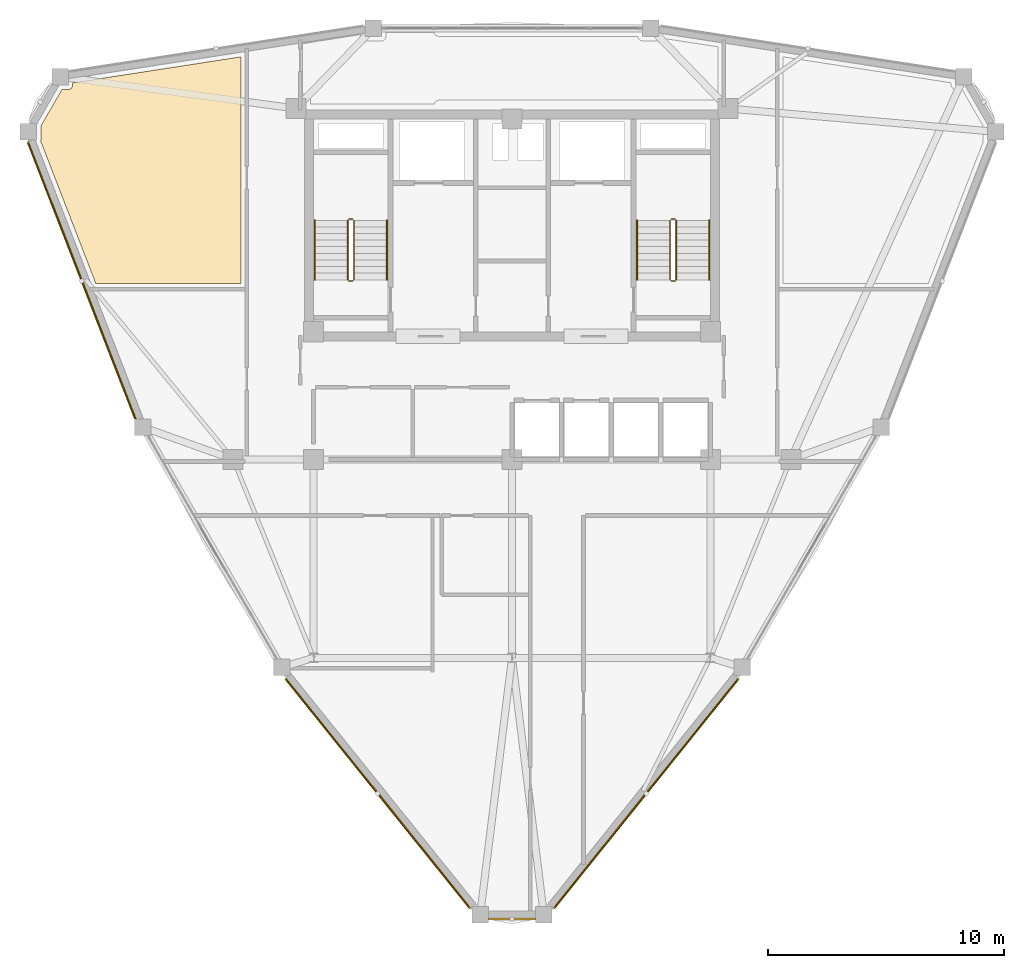
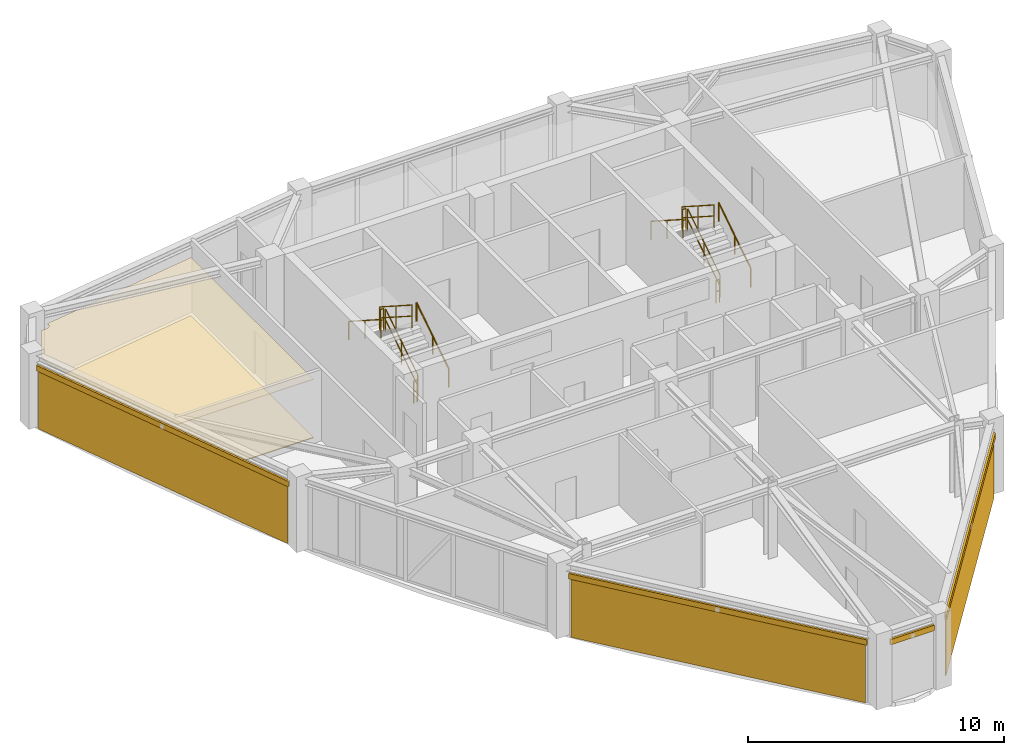
# One storey, part 14 of 15: 12 railings, 5 coverings, 4 shading devices.
"""IFC4 building model written with IfcOpenShell, lengths in metres."""

from ifc_helpers import new_model, si_unit, derived_unit, direction, frame, origin, origin_2d, place, context, subcontext, project, spatial, polyline, hollow_rectangle, circle, outline, extrude, source, transform, mapped, material, layer, layer_set, material_profile, profile_set, type_object, element, save


model = new_model("IFC4")

# Units and contexts
model_context = context("Model", 3, precision=1e-05, world=origin(), true_north=direction((0.0, 1.0)))
body_context = subcontext(model_context, "Body", "Model", "MODEL_VIEW")
ifc_project = project(units=[si_unit("LENGTHUNIT", "METRE"), si_unit("AREAUNIT", "SQUARE_METRE"), si_unit("VOLUMEUNIT", "CUBIC_METRE"), si_unit("PLANEANGLEUNIT", "RADIAN"), si_unit("MASSUNIT", "GRAM", prefix="KILO"), derived_unit("THERMALTRANSMITTANCEUNIT", [(si_unit("POWERUNIT", "WATT"), 1), (si_unit("LENGTHUNIT", "METRE"), -2), (si_unit("THERMODYNAMICTEMPERATUREUNIT", "KELVIN"), -1)])], contexts=[model_context])

# Site, building, storey
site_placement = place(None, origin())
site = spatial("IfcSite", under=ifc_project, at=site_placement, CompositionType="ELEMENT")
building_placement = place(site_placement, origin())
building = spatial("IfcBuilding", under=site, at=building_placement, Name="Korsvarv Bourse and Concert Hall", CompositionType="ELEMENT")
storey_placement = place(building_placement, frame((0.0, 0.0, 268.199951171875)))
storey = spatial("IfcBuildingStorey", under=building, at=storey_placement, Name="L70", CompositionType="ELEMENT", Elevation=268.199951171875)

# Coverings
ifc_material_1 = material(Name="Perforated mineral-wool and birch acoustic baffle ceiling", Category="wood")
ifc_layer_1 = layer(ifc_material_1, 0.02490234375)
ifc_layer_set_1 = layer_set([ifc_layer_1], Name="Perforated mineral-wool and birch acoustic baffle ceiling")
covering_type_1 = type_object("IfcCoveringType", Name="COV-CEIL-1", PredefinedType="CEILING", material=ifc_layer_set_1)
covering_1_placement = place(storey_placement, frame((0.0, 0.0, 2.7900390625)))
element("IfcCovering", 1, at=covering_1_placement, inside=storey, type_object=covering_type_1, Name="L70 acoustic baffle ceiling 1", PredefinedType="CEILING", context=body_context, shape_type="SweptSolid", body=[
    extrude(outline(polyline([(16.052001953125, 45.868896484375), (16.055908203125, 45.903564453125), (16.065185546875, 46.520263671875), (16.952880859375, 48.05810546875), (17.221923828125, 48.05810546875), (17.256103515625, 48.061279296875), (17.289306640625, 48.071044921875), (17.31982421875, 48.0869140625), (17.3466796875, 48.108154296875), (17.369140625, 48.13427734375), (17.38623046875, 48.164306640625), (17.397216796875, 48.19677734375), (17.40185546875, 48.23095703125), (17.406005859375, 48.33642578125), (24.52001953125, 49.435791015625), (24.52001953125, 39.85009765625), (18.38134765625, 39.85009765625), (16.052001953125, 45.868896484375)])), origin(), (0.0, 0.0, 1.0), 0.02490234375),
])
ifc_material_2 = material(Name="Warm iron-oxide extruded terracotta rainscreen tile", Category="ceramic")
ifc_layer_2 = layer(ifc_material_2, 0.044921875)
ifc_layer_set_2 = layer_set([ifc_layer_2], Name="Warm iron-oxide extruded terracotta rainscreen tile")
covering_type_2 = type_object("IfcCoveringType", Name="COV-CLD-TC", PredefinedType="CLADDING", material=ifc_layer_set_2)
covering_2_placement = place(storey_placement, origin())
element("IfcCovering", 2, at=covering_2_placement, inside=storey, type_object=covering_type_2, Name="L70 fluted terracotta cladding panel EW-L70-B06", PredefinedType="CLADDING", context=body_context, shape_type="SweptSolid", body=[
    extrude(outline(polyline([(15.566650390625, 45.787841796875), (20.088134765625, 34.140380859375), (20.046142578125, 34.124267578125), (15.52490234375, 45.771484375), (15.566650390625, 45.787841796875)])), origin(), (0.0, 0.0, 1.0), 2.72998046875),
])
covering_3_placement = place(storey_placement, origin())
element("IfcCovering", 3, at=covering_3_placement, inside=storey, type_object=covering_type_2, Name="L70 fluted terracotta cladding panel EW-L70-B08", PredefinedType="CLADDING", context=body_context, shape_type="SweptSolid", body=[
    extrude(outline(polyline([(26.48046875, 23.091552734375), (34.213134765625, 13.468505859375), (34.177978515625, 13.440185546875), (26.4453125, 23.0634765625), (26.48046875, 23.091552734375)])), origin(), (0.0, 0.0, 1.0), 2.760009765625),
])
covering_4_placement = place(storey_placement, origin())
element("IfcCovering", 4, at=covering_4_placement, inside=storey, type_object=covering_type_2, Name="L70 fluted terracotta cladding panel EW-L70-B10", PredefinedType="CLADDING", context=body_context, shape_type="SweptSolid", body=[
    extrude(outline(polyline([(37.786865234375, 13.468505859375), (45.51953125, 23.091552734375), (45.5546875, 23.0634765625), (37.822021484375, 13.440185546875), (37.786865234375, 13.468505859375)])), origin(), (0.0, 0.0, 1.0), 2.72998046875),
])
ifc_material_3 = material(Name="Calcium-sulphate raised access trading floor with Nordic oak top", Category="wood")
ifc_layer_3 = layer(ifc_material_3, 0.0400390625)
ifc_layer_set_3 = layer_set([ifc_layer_3], Name="Calcium-sulphate raised access trading floor with Nordic oak top")
covering_type_3 = type_object("IfcCoveringType", Name="COV-FLOR-1", PredefinedType="FLOORING", material=ifc_layer_set_3)
covering_5_placement = place(storey_placement, origin())
element("IfcCovering", 5, at=covering_5_placement, inside=storey, type_object=covering_type_3, Name="L70 raised access oak floor finish 1", PredefinedType="FLOORING", context=body_context, shape_type="SweptSolid", body=[
    extrude(outline(polyline([(16.052001953125, 45.868896484375), (16.055908203125, 45.903564453125), (16.065185546875, 46.520263671875), (16.952880859375, 48.05810546875), (17.221923828125, 48.05810546875), (17.256103515625, 48.061279296875), (17.289306640625, 48.071044921875), (17.31982421875, 48.0869140625), (17.3466796875, 48.108154296875), (17.369140625, 48.13427734375), (17.38623046875, 48.164306640625), (17.397216796875, 48.19677734375), (17.40185546875, 48.23095703125), (17.406005859375, 48.33642578125), (24.52001953125, 49.435791015625), (24.52001953125, 39.85009765625), (18.38134765625, 39.85009765625), (16.052001953125, 45.868896484375)])), origin(), (0.0, 0.0, 1.0), 0.0400390625),
])

# Railings
ifc_material_4 = material(Name="Painted Steel S355 stair well guardrail", Category="steel")
railing_type_1 = type_object("IfcRailingType", Name="RL-ST-GRD", PredefinedType="GUARDRAIL", material=ifc_material_4)
railing_1_placement = place(storey_placement, frame((29.31005859375, 40.0, 0.179931640625)))
element("IfcRailing", 6, at=railing_1_placement, inside=storey, type_object=railing_type_1, Name="L70 ST-T1 stair guard 1", PredefinedType="GUARDRAIL", context=body_context, shape_type="SweptSolid", body=[
    extrude(circle(Radius=0.02392578125, at=origin_2d()), frame((0.0, 0.0, 1.076171875), z_axis=(0.0, 0.841162588446, 0.540782303519), x_axis=(-1.0, 0.0, 0.0)), (0.0, 0.0, 1.0), 2.995849609375),
    extrude(circle(Radius=0.02392578125, at=origin_2d()), frame((0.0, 0.0, 0.550048828125), z_axis=(0.0, 0.841162588446, 0.540782303519), x_axis=(-1.0, 0.0, 0.0)), (0.0, 0.0, 1.0), 2.995849609375),
    extrude(circle(Radius=0.02099609375, at=origin_2d()), origin(), (0.0, 0.0, 1.0), 1.052001953125),
    extrude(circle(Radius=0.02099609375, at=origin_2d()), frame((0.0, 1.260009765625, 0.81005859375)), (0.0, 0.0, 1.0), 1.052001953125),
    extrude(circle(Radius=0.02099609375, at=origin_2d()), frame((0.0, 2.52001953125, 1.6201171875)), (0.0, 0.0, 1.0), 1.052001953125),
])
railing_2_placement = place(storey_placement, frame((29.260009765625, 42.570068359375, 1.800048828125)))
element("IfcRailing", 7, at=railing_2_placement, inside=storey, type_object=railing_type_1, Name="L70 ST-T1 stair guard 2", PredefinedType="GUARDRAIL", context=body_context, shape_type="SweptSolid", body=[
    extrude(circle(Radius=0.02392578125, at=origin_2d()), frame((0.0, 0.0, 1.076171875), z_axis=(-1.0, 0.0, 0.0), x_axis=(0.0, -1.0, 0.0)), (0.0, 0.0, 1.0), 0.159912109375),
    extrude(circle(Radius=0.02392578125, at=origin_2d()), frame((0.0, 0.0, 0.550048828125), z_axis=(-1.0, 0.0, 0.0), x_axis=(0.0, -1.0, 0.0)), (0.0, 0.0, 1.0), 0.159912109375),
    extrude(circle(Radius=0.02099609375, at=origin_2d()), origin(), (0.0, 0.0, 1.0), 1.052001953125),
    extrude(circle(Radius=0.02099609375, at=origin_2d()), frame((-0.159912109375, 0.0, 0.0)), (0.0, 0.0, 1.0), 1.052001953125),
])
railing_3_placement = place(storey_placement, frame((29.050048828125, 42.52001953125, 1.97998046875)))
element("IfcRailing", 8, at=railing_3_placement, inside=storey, type_object=railing_type_1, Name="L70 ST-T1 stair guard 3", PredefinedType="GUARDRAIL", context=body_context, shape_type="SweptSolid", body=[
    extrude(circle(Radius=0.02392578125, at=origin_2d()), frame((0.0, 0.0, 1.076171875), z_axis=(0.0, -0.841162588446, 0.540782303519), x_axis=(1.0, 0.0, 0.0)), (0.0, 0.0, 1.0), 2.995849609375),
    extrude(circle(Radius=0.02392578125, at=origin_2d()), frame((0.0, 0.0, 0.550048828125), z_axis=(0.0, -0.841162588446, 0.540782303519), x_axis=(1.0, 0.0, 0.0)), (0.0, 0.0, 1.0), 2.995849609375),
    extrude(circle(Radius=0.02099609375, at=origin_2d()), origin(), (0.0, 0.0, 1.0), 1.052001953125),
    extrude(circle(Radius=0.02099609375, at=origin_2d()), frame((0.0, -1.260009765625, 0.81005859375)), (0.0, 0.0, 1.0), 1.052001953125),
    extrude(circle(Radius=0.02099609375, at=origin_2d()), frame((0.0, -2.52001953125, 1.6201171875)), (0.0, 0.0, 1.0), 1.052001953125),
])
railing_4_placement = place(storey_placement, frame((29.260009765625, 39.949951171875, 0.0)))
element("IfcRailing", 9, at=railing_4_placement, inside=storey, type_object=railing_type_1, Name="L70 ST-T1 stair guard 4", PredefinedType="GUARDRAIL", context=body_context, shape_type="SweptSolid", body=[
    extrude(circle(Radius=0.02392578125, at=origin_2d()), frame((0.0, 0.0, 1.076171875), z_axis=(-1.0, 0.0, 0.0), x_axis=(0.0, -1.0, 0.0)), (0.0, 0.0, 1.0), 0.159912109375),
    extrude(circle(Radius=0.02392578125, at=origin_2d()), frame((0.0, 0.0, 0.550048828125), z_axis=(-1.0, 0.0, 0.0), x_axis=(0.0, -1.0, 0.0)), (0.0, 0.0, 1.0), 0.159912109375),
    extrude(circle(Radius=0.02099609375, at=origin_2d()), origin(), (0.0, 0.0, 1.0), 1.052001953125),
    extrude(circle(Radius=0.02099609375, at=origin_2d()), frame((-0.159912109375, 0.0, 0.0)), (0.0, 0.0, 1.0), 1.052001953125),
])
railing_5_placement = place(storey_placement, frame((42.949951171875, 40.0, 0.179931640625)))
element("IfcRailing", 10, at=railing_5_placement, inside=storey, type_object=railing_type_1, Name="L70 ST-T2 stair guard 1", PredefinedType="GUARDRAIL", context=body_context, shape_type="SweptSolid", body=[
    extrude(circle(Radius=0.02392578125, at=origin_2d()), frame((0.0, 0.0, 1.076171875), z_axis=(0.0, 0.841162588446, 0.540782303519), x_axis=(-1.0, 0.0, 0.0)), (0.0, 0.0, 1.0), 2.995849609375),
    extrude(circle(Radius=0.02392578125, at=origin_2d()), frame((0.0, 0.0, 0.550048828125), z_axis=(0.0, 0.841162588446, 0.540782303519), x_axis=(-1.0, 0.0, 0.0)), (0.0, 0.0, 1.0), 2.995849609375),
    extrude(circle(Radius=0.02099609375, at=origin_2d()), origin(), (0.0, 0.0, 1.0), 1.052001953125),
    extrude(circle(Radius=0.02099609375, at=origin_2d()), frame((0.0, 1.260009765625, 0.81005859375)), (0.0, 0.0, 1.0), 1.052001953125),
    extrude(circle(Radius=0.02099609375, at=origin_2d()), frame((0.0, 2.52001953125, 1.6201171875)), (0.0, 0.0, 1.0), 1.052001953125),
])
railing_6_placement = place(storey_placement, frame((42.89990234375, 42.570068359375, 1.800048828125)))
element("IfcRailing", 11, at=railing_6_placement, inside=storey, type_object=railing_type_1, Name="L70 ST-T2 stair guard 2", PredefinedType="GUARDRAIL", context=body_context, shape_type="SweptSolid", body=[
    extrude(circle(Radius=0.02392578125, at=origin_2d()), frame((0.0, 0.0, 1.076171875), z_axis=(-1.0, 0.0, 0.0), x_axis=(0.0, -1.0, 0.0)), (0.0, 0.0, 1.0), 0.159912109375),
    extrude(circle(Radius=0.02392578125, at=origin_2d()), frame((0.0, 0.0, 0.550048828125), z_axis=(-1.0, 0.0, 0.0), x_axis=(0.0, -1.0, 0.0)), (0.0, 0.0, 1.0), 0.159912109375),
    extrude(circle(Radius=0.02099609375, at=origin_2d()), origin(), (0.0, 0.0, 1.0), 1.052001953125),
    extrude(circle(Radius=0.02099609375, at=origin_2d()), frame((-0.159912109375, 0.0, 0.0)), (0.0, 0.0, 1.0), 1.052001953125),
])
railing_7_placement = place(storey_placement, frame((42.68994140625, 42.52001953125, 1.97998046875)))
element("IfcRailing", 12, at=railing_7_placement, inside=storey, type_object=railing_type_1, Name="L70 ST-T2 stair guard 3", PredefinedType="GUARDRAIL", context=body_context, shape_type="SweptSolid", body=[
    extrude(circle(Radius=0.02392578125, at=origin_2d()), frame((0.0, 0.0, 1.076171875), z_axis=(0.0, -0.841162588446, 0.540782303519), x_axis=(1.0, 0.0, 0.0)), (0.0, 0.0, 1.0), 2.995849609375),
    extrude(circle(Radius=0.02392578125, at=origin_2d()), frame((0.0, 0.0, 0.550048828125), z_axis=(0.0, -0.841162588446, 0.540782303519), x_axis=(1.0, 0.0, 0.0)), (0.0, 0.0, 1.0), 2.995849609375),
    extrude(circle(Radius=0.02099609375, at=origin_2d()), origin(), (0.0, 0.0, 1.0), 1.052001953125),
    extrude(circle(Radius=0.02099609375, at=origin_2d()), frame((0.0, -1.260009765625, 0.81005859375)), (0.0, 0.0, 1.0), 1.052001953125),
    extrude(circle(Radius=0.02099609375, at=origin_2d()), frame((0.0, -2.52001953125, 1.6201171875)), (0.0, 0.0, 1.0), 1.052001953125),
])
railing_8_placement = place(storey_placement, frame((42.89990234375, 39.949951171875, 0.0)))
element("IfcRailing", 13, at=railing_8_placement, inside=storey, type_object=railing_type_1, Name="L70 ST-T2 stair guard 4", PredefinedType="GUARDRAIL", context=body_context, shape_type="SweptSolid", body=[
    extrude(circle(Radius=0.02392578125, at=origin_2d()), frame((0.0, 0.0, 1.076171875), z_axis=(-1.0, 0.0, 0.0), x_axis=(0.0, -1.0, 0.0)), (0.0, 0.0, 1.0), 0.159912109375),
    extrude(circle(Radius=0.02392578125, at=origin_2d()), frame((0.0, 0.0, 0.550048828125), z_axis=(-1.0, 0.0, 0.0), x_axis=(0.0, -1.0, 0.0)), (0.0, 0.0, 1.0), 0.159912109375),
    extrude(circle(Radius=0.02099609375, at=origin_2d()), origin(), (0.0, 0.0, 1.0), 1.052001953125),
    extrude(circle(Radius=0.02099609375, at=origin_2d()), frame((-0.159912109375, 0.0, 0.0)), (0.0, 0.0, 1.0), 1.052001953125),
])
ifc_material_5 = material(Name="Brushed stainless Steel S355 tubular handrail", Category="steel")
railing_type_2 = type_object("IfcRailingType", Name="RL-ST-HND", PredefinedType="HANDRAIL", material=ifc_material_5)
railing_9_placement = place(storey_placement, frame((30.7099609375, 40.0, 0.179931640625)))
element("IfcRailing", 14, at=railing_9_placement, inside=storey, type_object=railing_type_2, Name="L70 ST-T1 stair handrail 1", PredefinedType="HANDRAIL", context=body_context, shape_type="SweptSolid", body=[
    extrude(circle(Radius=0.02392578125, at=origin_2d()), frame((0.0, 0.0, 0.8759765625), z_axis=(0.0, 0.841162588446, 0.540782303519), x_axis=(-1.0, 0.0, 0.0)), (0.0, 0.0, 1.0), 2.995849609375),
    extrude(circle(Radius=0.02099609375, at=origin_2d()), origin(), (0.0, 0.0, 1.0), 0.851806640625),
    extrude(circle(Radius=0.02099609375, at=origin_2d()), frame((0.0, 1.260009765625, 0.81005859375)), (0.0, 0.0, 1.0), 0.851806640625),
    extrude(circle(Radius=0.02099609375, at=origin_2d()), frame((0.0, 2.52001953125, 1.6201171875)), (0.0, 0.0, 1.0), 0.851806640625),
])
railing_10_placement = place(storey_placement, frame((27.64990234375, 42.52001953125, 1.97998046875)))
element("IfcRailing", 15, at=railing_10_placement, inside=storey, type_object=railing_type_2, Name="L70 ST-T1 stair handrail 2", PredefinedType="HANDRAIL", context=body_context, shape_type="SweptSolid", body=[
    extrude(circle(Radius=0.02392578125, at=origin_2d()), frame((0.0, 0.0, 0.8759765625), z_axis=(0.0, -0.841162588446, 0.540782303519), x_axis=(1.0, 0.0, 0.0)), (0.0, 0.0, 1.0), 2.995849609375),
    extrude(circle(Radius=0.02099609375, at=origin_2d()), origin(), (0.0, 0.0, 1.0), 0.851806640625),
    extrude(circle(Radius=0.02099609375, at=origin_2d()), frame((0.0, -1.260009765625, 0.81005859375)), (0.0, 0.0, 1.0), 0.851806640625),
    extrude(circle(Radius=0.02099609375, at=origin_2d()), frame((0.0, -2.52001953125, 1.6201171875)), (0.0, 0.0, 1.0), 0.851806640625),
])
railing_11_placement = place(storey_placement, frame((44.35009765625, 40.0, 0.179931640625)))
element("IfcRailing", 16, at=railing_11_placement, inside=storey, type_object=railing_type_2, Name="L70 ST-T2 stair handrail 1", PredefinedType="HANDRAIL", context=body_context, shape_type="SweptSolid", body=[
    extrude(circle(Radius=0.02392578125, at=origin_2d()), frame((0.0, 0.0, 0.8759765625), z_axis=(0.0, 0.841162588446, 0.540782303519), x_axis=(-1.0, 0.0, 0.0)), (0.0, 0.0, 1.0), 2.995849609375),
    extrude(circle(Radius=0.02099609375, at=origin_2d()), origin(), (0.0, 0.0, 1.0), 0.851806640625),
    extrude(circle(Radius=0.02099609375, at=origin_2d()), frame((0.0, 1.260009765625, 0.81005859375)), (0.0, 0.0, 1.0), 0.851806640625),
    extrude(circle(Radius=0.02099609375, at=origin_2d()), frame((0.0, 2.52001953125, 1.6201171875)), (0.0, 0.0, 1.0), 0.851806640625),
])
railing_12_placement = place(storey_placement, frame((41.2900390625, 42.52001953125, 1.97998046875)))
element("IfcRailing", 17, at=railing_12_placement, inside=storey, type_object=railing_type_2, Name="L70 ST-T2 stair handrail 2", PredefinedType="HANDRAIL", context=body_context, shape_type="SweptSolid", body=[
    extrude(circle(Radius=0.02392578125, at=origin_2d()), frame((0.0, 0.0, 0.8759765625), z_axis=(0.0, -0.841162588446, 0.540782303519), x_axis=(1.0, 0.0, 0.0)), (0.0, 0.0, 1.0), 2.995849609375),
    extrude(circle(Radius=0.02099609375, at=origin_2d()), origin(), (0.0, 0.0, 1.0), 0.851806640625),
    extrude(circle(Radius=0.02099609375, at=origin_2d()), frame((0.0, -1.260009765625, 0.81005859375)), (0.0, 0.0, 1.0), 0.851806640625),
    extrude(circle(Radius=0.02099609375, at=origin_2d()), frame((0.0, -2.52001953125, 1.6201171875)), (0.0, 0.0, 1.0), 0.851806640625),
])

# Shading devices
ifc_material_6 = material(Name="Glazed extruded architectural terracotta", Category="ceramic")
ifc_material_profile = material_profile(ifc_material_6, hollow_rectangle(XDim=0.090087890625, YDim=0.260009765625, WallThickness=0.011962890625, at=origin_2d()), Name="TC-BAG 90x260")
ifc_profile_set = profile_set([ifc_material_profile], Name="Glazed extruded architectural terracotta")
shading_device_type = type_object("IfcShadingDeviceType", Name="SHD-BAG-1", PredefinedType="USERDEFINED", material=ifc_profile_set)
shared_shape_1 = source(origin(), body_context, "Body", "SweptSolid", [
    extrude(hollow_rectangle(XDim=0.090087890625, YDim=0.260009765625, WallThickness=0.011962890625, at=origin_2d()), origin(), (0.0, 0.0, 1.0), 12.654052734375),
])
shading_device_1_placement = place(storey_placement, frame((15.50048828125, 45.847900390625, 2.89013671875), z_axis=(0.361887564825, -0.932221749599, 0.0), x_axis=(0.932221749599, 0.361887564825, 0.0)))
element("IfcShadingDevice", 18, at=shading_device_1_placement, inside=storey, type_object=shading_device_type, Name="L70 terracotta baguette sunshade EW-L70-B06", ObjectType="BAGUETTE", PredefinedType="USERDEFINED", context=body_context, shape_type="MappedRepresentation", body=[
    mapped(shared_shape_1, transform((0.0, 0.0, 0.0), scale=1.0)),
])
shared_shape_2 = source(origin(), body_context, "Body", "SweptSolid", [
    extrude(hollow_rectangle(XDim=0.090087890625, YDim=0.260009765625, WallThickness=0.011962890625, at=origin_2d()), origin(), (0.0, 0.0, 1.0), 12.505126953125),
])
for number, where, z_axis, x_axis, name in (
    (19, (26.399169921875, 23.12890625, 2.920166015625), (0.626388778064, -0.779510807311, 0.0), (0.779510807311, 0.626388778064, 0.0), "L70 terracotta baguette sunshade EW-L70-B08"),
    (20, (37.767822265625, 13.381103515625, 2.89013671875), (0.626388778064, 0.779510807311, 0.0), (-0.779510807311, 0.626388778064, 0.0), "L70 terracotta baguette sunshade EW-L70-B10"),
):
    element("IfcShadingDevice", number, at=place(storey_placement, frame(where, z_axis=z_axis, x_axis=x_axis)), inside=storey, type_object=shading_device_type, Name=name, ObjectType="BAGUETTE", PredefinedType="USERDEFINED", context=body_context, shape_type="MappedRepresentation", body=[
        mapped(shared_shape_2, transform((0.0, 0.0, 0.0), scale=1.0)),
    ])
shared_shape_3 = source(origin(), body_context, "Body", "SweptSolid", [
    extrude(hollow_rectangle(XDim=0.090087890625, YDim=0.260009765625, WallThickness=0.011962890625, at=origin_2d()), origin(), (0.0, 0.0, 1.0), 1.982421875),
])
shading_device_2_placement = place(storey_placement, frame((35.0087890625, 12.95068359375, 2.920166015625), z_axis=(1.0, 0.0, 0.0), x_axis=(0.0, 1.0, 0.0)))
element("IfcShadingDevice", 21, at=shading_device_2_placement, inside=storey, type_object=shading_device_type, Name="L70 terracotta baguette sunshade EW-L70-B09", ObjectType="BAGUETTE", PredefinedType="USERDEFINED", context=body_context, shape_type="MappedRepresentation", body=[
    mapped(shared_shape_3, transform((0.0, 0.0, 0.0), scale=1.0)),
])

save(model, "model.ifc")
